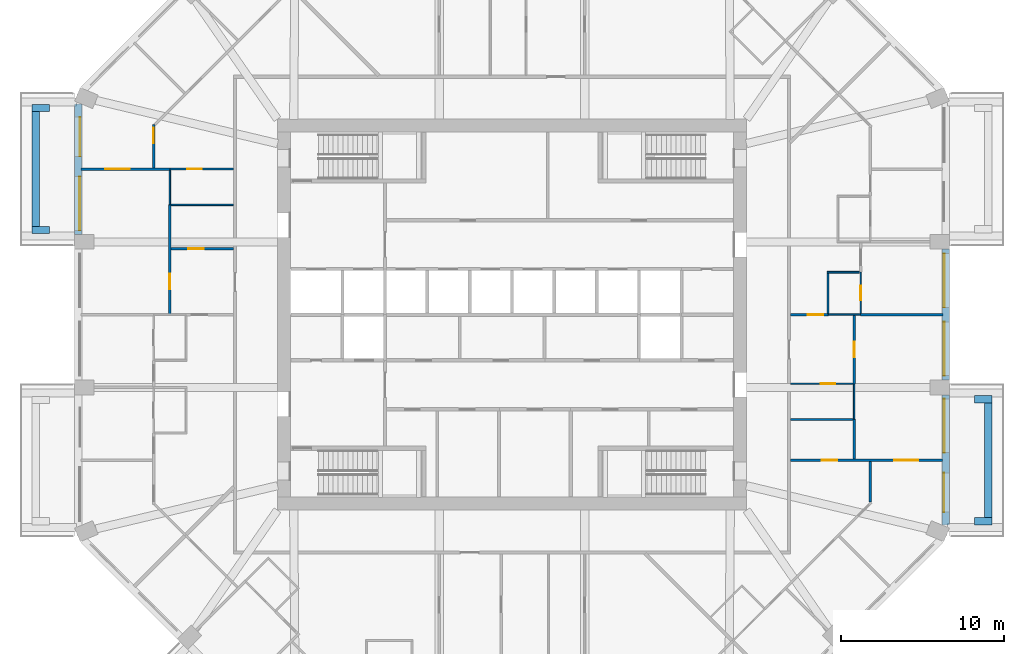
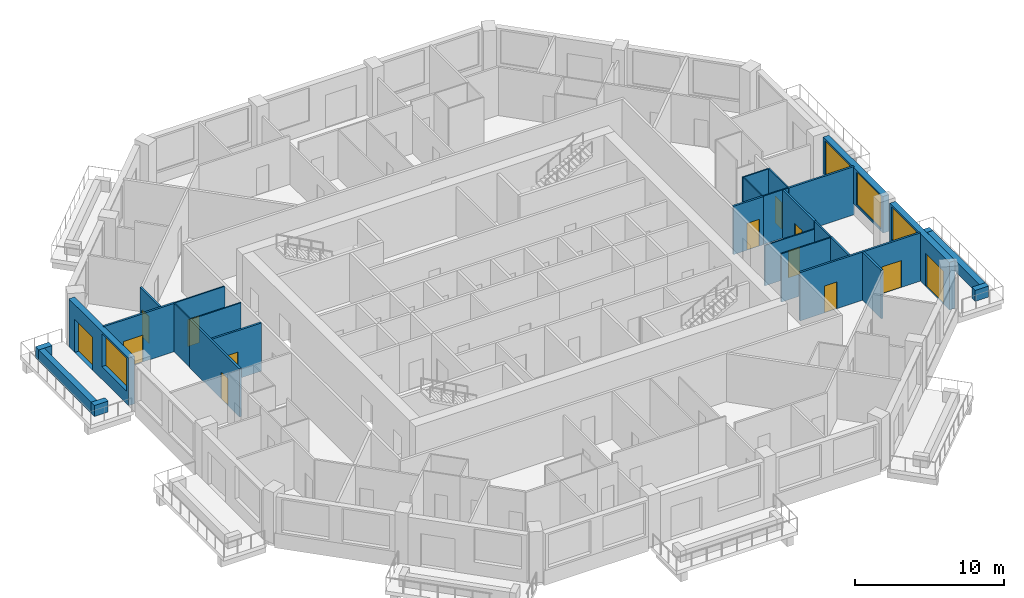
# One storey, part 7 of 13: 29 walls, 13 doors, 4 windows, 17 openings.
"""IFC4 building model written with IfcOpenShell, lengths in metres."""

from ifc_helpers import new_model, si_unit, direction, frame, frame_2d, origin, place, context, subcontext, project, spatial, rectangle, extrude, material, layer, layer_set, type_object, element, fill, save


model = new_model("IFC4")

# Units and contexts
model_context = context("Model", 3, precision=1e-05, world=origin(), true_north=direction((0.0, 1.0)))
body_context = subcontext(model_context, "Body", "Model", "MODEL_VIEW")
ifc_project = project(units=[si_unit("LENGTHUNIT", "METRE"), si_unit("AREAUNIT", "SQUARE_METRE"), si_unit("VOLUMEUNIT", "CUBIC_METRE"), si_unit("PLANEANGLEUNIT", "RADIAN"), si_unit("MASSUNIT", "GRAM", prefix="KILO")], contexts=[model_context])

# Site, building, storey
site_placement = place(None, origin())
site = spatial("IfcSite", under=ifc_project, at=site_placement, CompositionType="ELEMENT")
building_placement = place(site_placement, origin())
building = spatial("IfcBuilding", under=site, at=building_placement, Name="Msitu Wima Residences", CompositionType="ELEMENT")
storey_placement = place(building_placement, frame((0.0, 0.0, 140.10009765625)))
storey = spatial("IfcBuildingStorey", under=building, at=storey_placement, Name="L32", CompositionType="ELEMENT", Elevation=140.10009765625)

# Walls
ifc_material_1 = material(Name="Facing brick")
ifc_layer_1 = layer(ifc_material_1, 0.06494140625, Name="Facing brick")
ifc_material_2 = material(Name="Concrete C40/50", Category="concrete")
ifc_layer_2 = layer(ifc_material_2, 0.156005859375, Name="Concrete C40/50")
ifc_material_3 = material(Name="Waterproofing membrane")
ifc_layer_3 = layer(ifc_material_3, 0.00390625, Name="Waterproofing membrane")
ifc_material_4 = material(Name="Planting soil and planting")
ifc_layer_4 = layer(ifc_material_4, 0.22509765625, Name="Planting soil and planting")
ifc_layer_set_1 = layer_set([ifc_layer_1, ifc_layer_2, ifc_layer_3, ifc_layer_4], Name="Concrete C40/50")
wall_type_1 = type_object("IfcWallType", Name="Balcony planter PLANTER PL450", PredefinedType="USERDEFINED", material=ifc_layer_set_1)
wall_1_placement = place(storey_placement, frame((29.22509765625, -12.455810546875, 0.0), z_axis=(0.0, 0.0, 1.0), x_axis=(0.0, 1.0, 0.0)))
element("IfcWall", 1, at=wall_1_placement, inside=storey, type_object=wall_type_1, Name="Balcony planter E0 L32", ObjectType="PLANTER", PredefinedType="USERDEFINED", context=body_context, shape_type="SweptSolid", body=[
    extrude(rectangle(XDim=7.037109375, YDim=0.449951171875, at=frame_2d((3.5185546875, 0.0))), origin(), (0.0, 0.0, 1.0), 0.89990234375),
])
for number, where, z_axis, x_axis, name in (
    (2, (28.39990234375, -12.680908203125, 0.0), (0.0, 0.0, 1.0), (1.0, 0.0, 0.0), "Balcony planter E0 L32"),
    (3, (28.39990234375, -5.193603515625, 0.0), (0.0, 0.0, 1.0), (1.0, 0.0, 0.0), "Balcony planter E0 L32"),
):
    element("IfcWall", number, at=place(storey_placement, frame(where, z_axis=z_axis, x_axis=x_axis)), inside=storey, type_object=wall_type_1, Name=name, ObjectType="PLANTER", PredefinedType="USERDEFINED", context=body_context, shape_type="SweptSolid", body=[
        extrude(rectangle(XDim=1.050048828125, YDim=0.449951171875, at=frame_2d((0.52490234375, 0.0))), origin(), (0.0, 0.0, 1.0), 0.89990234375),
    ])
wall_2_placement = place(storey_placement, frame((-29.22509765625, 12.455810546875, 0.0), z_axis=(0.0, 0.0, 1.0), x_axis=(0.0, -1.0, 0.0)))
element("IfcWall", 4, at=wall_2_placement, inside=storey, type_object=wall_type_1, Name="Balcony planter W0 L32", ObjectType="PLANTER", PredefinedType="USERDEFINED", context=body_context, shape_type="SweptSolid", body=[
    extrude(rectangle(XDim=7.037109375, YDim=0.449951171875, at=frame_2d((3.5185546875, 0.0))), origin(), (0.0, 0.0, 1.0), 0.89990234375),
])
for number, where, z_axis, x_axis, name in (
    (5, (-28.39990234375, 12.680908203125, 0.0), (0.0, 0.0, 1.0), (-1.0, 0.0, 0.0), "Balcony planter W0 L32"),
    (6, (-28.39990234375, 5.193603515625, 0.0), (0.0, 0.0, 1.0), (-1.0, 0.0, 0.0), "Balcony planter W0 L32"),
):
    element("IfcWall", number, at=place(storey_placement, frame(where, z_axis=z_axis, x_axis=x_axis)), inside=storey, type_object=wall_type_1, Name=name, ObjectType="PLANTER", PredefinedType="USERDEFINED", context=body_context, shape_type="SweptSolid", body=[
        extrude(rectangle(XDim=1.050048828125, YDim=0.449951171875, at=frame_2d((0.52490234375, 0.0))), origin(), (0.0, 0.0, 1.0), 0.89990234375),
    ])

# Wall, openings, door, window
ifc_material_5 = material(Name="Brick (red buff mix)", Category="masonry")
ifc_layer_5 = layer(ifc_material_5, 0.449951171875)
ifc_layer_set_2 = layer_set([ifc_layer_5], Name="Brick (red buff mix)")
wall_type_2 = type_object("IfcWallType", Name="Brick infill wall BW450", PredefinedType="SOLIDWALL", material=ifc_layer_set_2)
wall_3_placement = place(storey_placement, frame((26.625, -12.918701171875, 0.0), z_axis=(0.0, 0.0, 1.0), x_axis=(0.0, 1.0, 0.0)))
wall_3 = element("IfcWall", 7, at=wall_3_placement, inside=storey, type_object=wall_type_2, Name="Brick infill wall L32 E0", PredefinedType="SOLIDWALL", context=body_context, shape_type="SweptSolid", body=[
    extrude(rectangle(XDim=8.0, YDim=0.449951171875, at=frame_2d((4.0, 0.0))), origin(), (0.0, 0.0, 1.0), 3.89990234375),
])
opening_1_placement = place(wall_3_placement, frame((0.800048828125, 0.0, 0.0)))
opening_1 = element("IfcOpeningElement", 8, at=opening_1_placement, cuts=wall_3, Name="Opening D30-32.001", PredefinedType="OPENING", context=body_context, shape_type="SweptSolid", body=[
    extrude(rectangle(XDim=2.39990234375, YDim=2.699951171875, at=frame_2d((1.199951171875, 1.35009765625))), frame((0.0, 0.23486328125, 0.0), z_axis=(0.0, -1.0, 0.0), x_axis=(1.0, 0.0, 0.0)), (0.0, 0.0, 1.0), 0.469970703125),
])
opening_2_placement = place(wall_3_placement, frame((4.4501953125, 0.0, 1.050048828125)))
opening_2 = element("IfcOpeningElement", 9, at=opening_2_placement, cuts=wall_3, Name="Opening W30-32.001", PredefinedType="OPENING", context=body_context, shape_type="SweptSolid", body=[
    extrude(rectangle(XDim=3.300048828125, YDim=2.699951171875, at=frame_2d((1.64990234375, 1.35009765625))), frame((0.0, 0.23486328125, 0.0), z_axis=(0.0, -1.0, 0.0), x_axis=(1.0, 0.0, 0.0)), (0.0, 0.0, 1.0), 0.469970703125),
])
ifc_material_6 = material(Name="Anodised aluminium, bronze finish, clear low-emissivity double glazing", Category="aluminium")
door_type_1 = type_object("IfcDoorType", Name="Balcony door D2400x2700", OperationType="SLIDING_TO_LEFT", PredefinedType="DOOR", material=ifc_material_6)
door_1_placement = place(opening_1_placement, origin())
door_1 = element("IfcDoor", 10, at=door_1_placement, inside=storey, type_object=door_type_1, Name="Balcony door L32 E0", OperationType="SINGLE_SWING_LEFT", OverallHeight=2.699951171875, OverallWidth=2.39990234375, PredefinedType="DOOR", context=body_context, shape_type="SweptSolid", body=[
    extrude(rectangle(XDim=2.39990234375, YDim=2.699951171875, at=frame_2d((1.199951171875, 1.35009765625))), frame((0.0, 0.1298828125, 0.0), z_axis=(0.0, -1.0, 0.0), x_axis=(1.0, 0.0, 0.0)), (0.0, 0.0, 1.0), 0.050048828125),
])
fill(opening_1, door_1)
window_type = type_object("IfcWindowType", Name="Window W3300x2700", PartitioningType="DOUBLE_PANEL_VERTICAL", PredefinedType="WINDOW", material=ifc_material_6)
window_1_placement = place(opening_2_placement, origin())
window_1 = element("IfcWindow", 11, at=window_1_placement, inside=storey, type_object=window_type, Name="Window L32 E0.2", OverallHeight=2.699951171875, OverallWidth=3.300048828125, PartitioningType="SINGLE_PANEL", PredefinedType="WINDOW", context=body_context, shape_type="SweptSolid", body=[
    extrude(rectangle(XDim=3.300048828125, YDim=2.699951171875, at=frame_2d((1.64990234375, 1.35009765625))), frame((0.0, 0.135009765625, 0.0), z_axis=(0.0, -1.0, 0.0), x_axis=(1.0, 0.0, 0.0)), (0.0, 0.0, 1.0), 0.06005859375),
])
fill(opening_2, window_1)

# Wall, openings, windows
wall_4_placement = place(storey_placement, frame((26.625, -4.0185546875, 0.89990234375), z_axis=(0.0, 0.0, 1.0), x_axis=(0.0, 1.0, 0.0)))
wall_4 = element("IfcWall", 12, at=wall_4_placement, inside=storey, type_object=wall_type_2, Name="Brick infill wall L32 E1", PredefinedType="SOLIDWALL", context=body_context, shape_type="SweptSolid", body=[
    extrude(rectangle(XDim=8.037109375, YDim=0.449951171875, at=frame_2d((4.0185546875, 0.0))), origin(), (0.0, 0.0, 1.0), 3.0),
])
opening_3_placement = place(wall_4_placement, frame((0.2685546875, 0.0, 0.14990234375)))
opening_3 = element("IfcOpeningElement", 13, at=opening_3_placement, cuts=wall_4, Name="Opening W30-32.002", PredefinedType="OPENING", context=body_context, shape_type="SweptSolid", body=[
    extrude(rectangle(XDim=3.300048828125, YDim=2.699951171875, at=frame_2d((1.64990234375, 1.35009765625))), frame((0.0, 0.23486328125, 0.0), z_axis=(0.0, -1.0, 0.0), x_axis=(1.0, 0.0, 0.0)), (0.0, 0.0, 1.0), 0.469970703125),
])
opening_4_placement = place(wall_4_placement, frame((4.46875, 0.0, 0.14990234375)))
opening_4 = element("IfcOpeningElement", 14, at=opening_4_placement, cuts=wall_4, Name="Opening W30-32.003", PredefinedType="OPENING", context=body_context, shape_type="SweptSolid", body=[
    extrude(rectangle(XDim=3.300048828125, YDim=2.699951171875, at=frame_2d((1.64990234375, 1.35009765625))), frame((0.0, 0.23486328125, 0.0), z_axis=(0.0, -1.0, 0.0), x_axis=(1.0, 0.0, 0.0)), (0.0, 0.0, 1.0), 0.469970703125),
])
window_2_placement = place(opening_3_placement, origin())
window_2 = element("IfcWindow", 15, at=window_2_placement, inside=storey, type_object=window_type, Name="Window L32 E1.1", OverallHeight=2.699951171875, OverallWidth=3.300048828125, PartitioningType="SINGLE_PANEL", PredefinedType="WINDOW", context=body_context, shape_type="SweptSolid", body=[
    extrude(rectangle(XDim=3.300048828125, YDim=2.699951171875, at=frame_2d((1.64990234375, 1.35009765625))), frame((0.0, 0.135009765625, 0.0), z_axis=(0.0, -1.0, 0.0), x_axis=(1.0, 0.0, 0.0)), (0.0, 0.0, 1.0), 0.06005859375),
])
fill(opening_3, window_2)
window_3_placement = place(opening_4_placement, origin())
window_3 = element("IfcWindow", 16, at=window_3_placement, inside=storey, type_object=window_type, Name="Window L32 E1.2", OverallHeight=2.699951171875, OverallWidth=3.300048828125, PartitioningType="SINGLE_PANEL", PredefinedType="WINDOW", context=body_context, shape_type="SweptSolid", body=[
    extrude(rectangle(XDim=3.300048828125, YDim=2.699951171875, at=frame_2d((1.64990234375, 1.35009765625))), frame((0.0, 0.135009765625, 0.0), z_axis=(0.0, -1.0, 0.0), x_axis=(1.0, 0.0, 0.0)), (0.0, 0.0, 1.0), 0.06005859375),
])
fill(opening_4, window_3)

# Wall, openings, door, window
wall_5_placement = place(storey_placement, frame((-26.625, 12.918701171875, 0.0), z_axis=(0.0, 0.0, 1.0), x_axis=(0.0, -1.0, 0.0)))
wall_5 = element("IfcWall", 17, at=wall_5_placement, inside=storey, type_object=wall_type_2, Name="Brick infill wall L32 W0", PredefinedType="SOLIDWALL", context=body_context, shape_type="SweptSolid", body=[
    extrude(rectangle(XDim=8.0, YDim=0.449951171875, at=frame_2d((4.0, 0.0))), origin(), (0.0, 0.0, 1.0), 3.89990234375),
])
opening_5_placement = place(wall_5_placement, frame((0.800048828125, 0.0, 0.0)))
opening_5 = element("IfcOpeningElement", 18, at=opening_5_placement, cuts=wall_5, Name="Opening D30-32.009", PredefinedType="OPENING", context=body_context, shape_type="SweptSolid", body=[
    extrude(rectangle(XDim=2.39990234375, YDim=2.699951171875, at=frame_2d((1.199951171875, 1.35009765625))), frame((0.0, 0.23486328125, 0.0), z_axis=(0.0, -1.0, 0.0), x_axis=(1.0, 0.0, 0.0)), (0.0, 0.0, 1.0), 0.469970703125),
])
opening_6_placement = place(wall_5_placement, frame((4.4501953125, 0.0, 1.050048828125)))
opening_6 = element("IfcOpeningElement", 19, at=opening_6_placement, cuts=wall_5, Name="Opening W30-32.027", PredefinedType="OPENING", context=body_context, shape_type="SweptSolid", body=[
    extrude(rectangle(XDim=3.300048828125, YDim=2.699951171875, at=frame_2d((1.64990234375, 1.35009765625))), frame((0.0, 0.23486328125, 0.0), z_axis=(0.0, -1.0, 0.0), x_axis=(1.0, 0.0, 0.0)), (0.0, 0.0, 1.0), 0.469970703125),
])
door_2_placement = place(opening_5_placement, origin())
door_2 = element("IfcDoor", 20, at=door_2_placement, inside=storey, type_object=door_type_1, Name="Balcony door L32 W0", OperationType="SINGLE_SWING_LEFT", OverallHeight=2.699951171875, OverallWidth=2.39990234375, PredefinedType="DOOR", context=body_context, shape_type="SweptSolid", body=[
    extrude(rectangle(XDim=2.39990234375, YDim=2.699951171875, at=frame_2d((1.199951171875, 1.35009765625))), frame((0.0, 0.1298828125, 0.0), z_axis=(0.0, -1.0, 0.0), x_axis=(1.0, 0.0, 0.0)), (0.0, 0.0, 1.0), 0.050048828125),
])
fill(opening_5, door_2)
window_4_placement = place(opening_6_placement, origin())
window_4 = element("IfcWindow", 21, at=window_4_placement, inside=storey, type_object=window_type, Name="Window L32 W0.2", OverallHeight=2.699951171875, OverallWidth=3.300048828125, PartitioningType="SINGLE_PANEL", PredefinedType="WINDOW", context=body_context, shape_type="SweptSolid", body=[
    extrude(rectangle(XDim=3.300048828125, YDim=2.699951171875, at=frame_2d((1.64990234375, 1.35009765625))), frame((0.0, 0.135009765625, 0.0), z_axis=(0.0, -1.0, 0.0), x_axis=(1.0, 0.0, 0.0)), (0.0, 0.0, 1.0), 0.06005859375),
])
fill(opening_6, window_4)

# Wall, opening, door
ifc_material_7 = material(Name="Plaster")
ifc_layer_6 = layer(ifc_material_7, 0.011962890625, Name="Plaster")
ifc_material_8 = material(Name="Concrete blockwork", Category="masonry")
ifc_layer_7 = layer(ifc_material_8, 0.1259765625, Name="Concrete blockwork")
ifc_layer_8 = layer(ifc_material_7, 0.011962890625, Name="Plaster")
ifc_layer_set_3 = layer_set([ifc_layer_6, ifc_layer_7, ifc_layer_8], Name="Concrete blockwork")
wall_type_3 = type_object("IfcWallType", Name="Partition PW150", PredefinedType="PARTITIONING", material=ifc_layer_set_3)
wall_6_placement = place(storey_placement, frame((-26.455078125, 8.937255859375, 0.0), z_axis=(0.0, 0.0, 1.0), x_axis=(1.0, 0.0, 0.0)))
wall_6 = element("IfcWall", 22, at=wall_6_placement, inside=storey, type_object=wall_type_3, Name="Partition", PredefinedType="PARTITIONING", context=body_context, shape_type="SweptSolid", body=[
    extrude(rectangle(XDim=5.47509765625, YDim=0.14990234375, at=frame_2d((2.737548828125, 0.0))), origin(), (0.0, 0.0, 1.0), 3.949951171875),
])
opening_7_placement = place(wall_6_placement, frame((1.5, 0.0, 0.0)))
opening_7 = element("IfcOpeningElement", 23, at=opening_7_placement, cuts=wall_6, Name="Opening D30-32.046", PredefinedType="OPENING", context=body_context, shape_type="SweptSolid", body=[
    extrude(rectangle(XDim=1.5, YDim=2.199951171875, at=frame_2d((0.75, 1.10009765625))), frame((0.0, 0.0849609375, 0.0), z_axis=(0.0, -1.0, 0.0), x_axis=(1.0, 0.0, 0.0)), (0.0, 0.0, 1.0), 0.169921875),
])
ifc_material_9 = material(Name="Timber double door", Category="wood")
door_type_2 = type_object("IfcDoorType", Name="Double door D04 1500x2200", OperationType="DOUBLE_DOOR_SINGLE_SWING", PredefinedType="DOOR", material=ifc_material_9)
door_3_placement = place(opening_7_placement, origin())
door_3 = element("IfcDoor", 24, at=door_3_placement, inside=storey, type_object=door_type_2, Name="Double door", OperationType="DOUBLE_DOOR_SINGLE_SWING", OverallHeight=2.199951171875, OverallWidth=1.5, PredefinedType="DOOR", context=body_context, shape_type="SweptSolid", body=[
    extrude(rectangle(XDim=1.5, YDim=2.199951171875, at=frame_2d((0.75, 1.10009765625))), frame((0.0, 0.02490234375, 0.0), z_axis=(0.0, -1.0, 0.0), x_axis=(1.0, 0.0, 0.0)), (0.0, 0.0, 1.0), 0.050048828125),
])
fill(opening_7, door_3)

wall_7_placement = place(storey_placement, frame((-22.0, 9.01220703125, 0.0), z_axis=(0.0, 0.0, 1.0), x_axis=(0.0, 1.0, 0.0)))
wall_7 = element("IfcWall", 25, at=wall_7_placement, inside=storey, type_object=wall_type_3, Name="Partition", PredefinedType="PARTITIONING", context=body_context, shape_type="SweptSolid", body=[
    extrude(rectangle(XDim=2.646240234375, YDim=0.14990234375, at=frame_2d((1.3232421875, 0.0))), origin(), (0.0, 0.0, 1.0), 3.949951171875),
])
opening_8_placement = place(wall_7_placement, frame((1.5, 0.0, 0.0)))
opening_8 = element("IfcOpeningElement", 26, at=opening_8_placement, cuts=wall_7, Name="Opening D30-32.055", PredefinedType="OPENING", context=body_context, shape_type="SweptSolid", body=[
    extrude(rectangle(XDim=0.949951171875, YDim=2.199951171875, at=frame_2d((0.47509765625, 1.10009765625))), frame((0.0, 0.0849609375, 0.0), z_axis=(0.0, -1.0, 0.0), x_axis=(1.0, 0.0, 0.0)), (0.0, 0.0, 1.0), 0.169921875),
])
ifc_material_10 = material(Name="Timber flush door", Category="wood")
door_type_3 = type_object("IfcDoorType", Name="Room door D12 950x2200", OperationType="SINGLE_SWING_LEFT", PredefinedType="DOOR", material=ifc_material_10)
door_4_placement = place(opening_8_placement, origin())
door_4 = element("IfcDoor", 27, at=door_4_placement, inside=storey, type_object=door_type_3, Name="Room door", OperationType="SINGLE_SWING_LEFT", OverallHeight=2.199951171875, OverallWidth=0.949951171875, PredefinedType="DOOR", context=body_context, shape_type="SweptSolid", body=[
    extrude(rectangle(XDim=0.949951171875, YDim=2.199951171875, at=frame_2d((0.47509765625, 1.10009765625))), frame((0.0, 0.02490234375, 0.0), z_axis=(0.0, -1.0, 0.0), x_axis=(1.0, 0.0, 0.0)), (0.0, 0.0, 1.0), 0.050048828125),
])
fill(opening_8, door_4)

wall_8_placement = place(storey_placement, frame((-21.0, 0.050048828125, 0.0), z_axis=(0.0, 0.0, 1.0), x_axis=(0.0, 1.0, 0.0)))
wall_8 = element("IfcWall", 28, at=wall_8_placement, inside=storey, type_object=wall_type_3, Name="Partition", PredefinedType="PARTITIONING", context=body_context, shape_type="SweptSolid", body=[
    extrude(rectangle(XDim=6.707275390625, YDim=0.14990234375, at=frame_2d((3.353515625, 0.0))), origin(), (0.0, 0.0, 1.0), 3.949951171875),
])
opening_9_placement = place(wall_8_placement, frame((1.5, 0.0, 0.0)))
opening_9 = element("IfcOpeningElement", 29, at=opening_9_placement, cuts=wall_8, Name="Opening D30-32.045", PredefinedType="OPENING", context=body_context, shape_type="SweptSolid", body=[
    extrude(rectangle(XDim=0.949951171875, YDim=2.199951171875, at=frame_2d((0.47509765625, 1.10009765625))), frame((0.0, 0.0849609375, 0.0), z_axis=(0.0, -1.0, 0.0), x_axis=(1.0, 0.0, 0.0)), (0.0, 0.0, 1.0), 0.169921875),
])
door_5_placement = place(opening_9_placement, origin())
door_5 = element("IfcDoor", 30, at=door_5_placement, inside=storey, type_object=door_type_3, Name="Room door", OperationType="SINGLE_SWING_LEFT", OverallHeight=2.199951171875, OverallWidth=0.949951171875, PredefinedType="DOOR", context=body_context, shape_type="SweptSolid", body=[
    extrude(rectangle(XDim=0.949951171875, YDim=2.199951171875, at=frame_2d((0.47509765625, 1.10009765625))), frame((0.0, 0.02490234375, 0.0), z_axis=(0.0, -1.0, 0.0), x_axis=(1.0, 0.0, 0.0)), (0.0, 0.0, 1.0), 0.050048828125),
])
fill(opening_9, door_5)

wall_9_placement = place(storey_placement, frame((-20.925048828125, 4.037353515625, 0.0), z_axis=(0.0, 0.0, 1.0), x_axis=(1.0, 0.0, 0.0)))
wall_9 = element("IfcWall", 31, at=wall_9_placement, inside=storey, type_object=wall_type_3, Name="Partition", PredefinedType="PARTITIONING", context=body_context, shape_type="SweptSolid", body=[
    extrude(rectangle(XDim=3.824951171875, YDim=0.14990234375, at=frame_2d((1.91259765625, 0.0))), origin(), (0.0, 0.0, 1.0), 3.949951171875),
])
opening_10_placement = place(wall_9_placement, frame((1.050048828125, 0.0, 0.0)))
opening_10 = element("IfcOpeningElement", 32, at=opening_10_placement, cuts=wall_9, Name="Opening D30-32.053", PredefinedType="OPENING", context=body_context, shape_type="SweptSolid", body=[
    extrude(rectangle(XDim=0.949951171875, YDim=2.199951171875, at=frame_2d((0.47509765625, 1.10009765625))), frame((0.0, 0.0849609375, 0.0), z_axis=(0.0, -1.0, 0.0), x_axis=(1.0, 0.0, 0.0)), (0.0, 0.0, 1.0), 0.169921875),
])
door_6_placement = place(opening_10_placement, origin())
door_6 = element("IfcDoor", 33, at=door_6_placement, inside=storey, type_object=door_type_3, Name="Room door", OperationType="SINGLE_SWING_LEFT", OverallHeight=2.199951171875, OverallWidth=0.949951171875, PredefinedType="DOOR", context=body_context, shape_type="SweptSolid", body=[
    extrude(rectangle(XDim=0.949951171875, YDim=2.199951171875, at=frame_2d((0.47509765625, 1.10009765625))), frame((0.0, 0.02490234375, 0.0), z_axis=(0.0, -1.0, 0.0), x_axis=(1.0, 0.0, 0.0)), (0.0, 0.0, 1.0), 0.050048828125),
])
fill(opening_10, door_6)

# Wall, openings, doors
wall_10_placement = place(storey_placement, frame((17.10009765625, -8.937255859375, 0.0), z_axis=(0.0, 0.0, 1.0), x_axis=(1.0, 0.0, 0.0)))
wall_10 = element("IfcWall", 34, at=wall_10_placement, inside=storey, type_object=wall_type_3, Name="Partition", PredefinedType="PARTITIONING", context=body_context, shape_type="SweptSolid", body=[
    extrude(rectangle(XDim=9.324951171875, YDim=0.14990234375, at=frame_2d((4.66259765625, 0.0))), origin(), (0.0, 0.0, 1.0), 3.949951171875),
])
opening_11_placement = place(wall_10_placement, frame((6.35009765625, 0.0, 0.0)))
opening_11 = element("IfcOpeningElement", 35, at=opening_11_placement, cuts=wall_10, Name="Opening D30-32.081", PredefinedType="OPENING", context=body_context, shape_type="SweptSolid", body=[
    extrude(rectangle(XDim=1.5, YDim=2.199951171875, at=frame_2d((0.75, 1.10009765625))), frame((0.0, 0.0849609375, 0.0), z_axis=(0.0, -1.0, 0.0), x_axis=(1.0, 0.0, 0.0)), (0.0, 0.0, 1.0), 0.169921875),
])
opening_12_placement = place(wall_10_placement, frame((1.89990234375, 0.0, 0.0)))
opening_12 = element("IfcOpeningElement", 36, at=opening_12_placement, cuts=wall_10, Name="Opening D30-32.087", PredefinedType="OPENING", context=body_context, shape_type="SweptSolid", body=[
    extrude(rectangle(XDim=0.949951171875, YDim=2.199951171875, at=frame_2d((0.47509765625, 1.10009765625))), frame((0.0, 0.0849609375, 0.0), z_axis=(0.0, -1.0, 0.0), x_axis=(1.0, 0.0, 0.0)), (0.0, 0.0, 1.0), 0.169921875),
])
door_7_placement = place(opening_11_placement, origin())
door_7 = element("IfcDoor", 37, at=door_7_placement, inside=storey, type_object=door_type_2, Name="Double door", OperationType="DOUBLE_DOOR_SINGLE_SWING", OverallHeight=2.199951171875, OverallWidth=1.5, PredefinedType="DOOR", context=body_context, shape_type="SweptSolid", body=[
    extrude(rectangle(XDim=1.5, YDim=2.199951171875, at=frame_2d((0.75, 1.10009765625))), frame((0.0, 0.02490234375, 0.0), z_axis=(0.0, -1.0, 0.0), x_axis=(1.0, 0.0, 0.0)), (0.0, 0.0, 1.0), 0.050048828125),
])
fill(opening_11, door_7)
door_8_placement = place(opening_12_placement, origin())
door_8 = element("IfcDoor", 38, at=door_8_placement, inside=storey, type_object=door_type_3, Name="Room door", OperationType="SINGLE_SWING_RIGHT", OverallHeight=2.199951171875, OverallWidth=0.949951171875, PredefinedType="DOOR", context=body_context, shape_type="SweptSolid", body=[
    extrude(rectangle(XDim=0.949951171875, YDim=2.199951171875, at=frame_2d((0.47509765625, 1.10009765625))), frame((0.0, 0.02490234375, 0.0), z_axis=(0.0, -1.0, 0.0), x_axis=(1.0, 0.0, 0.0)), (0.0, 0.0, 1.0), 0.050048828125),
])
fill(opening_12, door_8)

# Wall, opening, door
wall_11_placement = place(storey_placement, frame((17.10009765625, 0.0, 0.0), z_axis=(0.0, 0.0, 1.0), x_axis=(1.0, 0.0, 0.0)))
wall_11 = element("IfcWall", 39, at=wall_11_placement, inside=storey, type_object=wall_type_3, Name="Partition", PredefinedType="PARTITIONING", context=body_context, shape_type="SweptSolid", body=[
    extrude(rectangle(XDim=2.31982421875, YDim=0.14990234375, at=frame_2d((1.159912109375, 0.0))), origin(), (0.0, 0.0, 1.0), 3.949951171875),
])
opening_13_placement = place(wall_11_placement, frame((1.050048828125, 0.0, 0.0)))
opening_13 = element("IfcOpeningElement", 40, at=opening_13_placement, cuts=wall_11, Name="Opening D30-32.076", PredefinedType="OPENING", context=body_context, shape_type="SweptSolid", body=[
    extrude(rectangle(XDim=0.949951171875, YDim=2.199951171875, at=frame_2d((0.47509765625, 1.10009765625))), frame((0.0, 0.0849609375, 0.0), z_axis=(0.0, -1.0, 0.0), x_axis=(1.0, 0.0, 0.0)), (0.0, 0.0, 1.0), 0.169921875),
])
door_9_placement = place(opening_13_placement, origin())
door_9 = element("IfcDoor", 41, at=door_9_placement, inside=storey, type_object=door_type_3, Name="Room door", OperationType="SINGLE_SWING_RIGHT", OverallHeight=2.199951171875, OverallWidth=0.949951171875, PredefinedType="DOOR", context=body_context, shape_type="SweptSolid", body=[
    extrude(rectangle(XDim=0.949951171875, YDim=2.199951171875, at=frame_2d((0.47509765625, 1.10009765625))), frame((0.0, 0.02490234375, 0.0), z_axis=(0.0, -1.0, 0.0), x_axis=(1.0, 0.0, 0.0)), (0.0, 0.0, 1.0), 0.050048828125),
])
fill(opening_13, door_9)

# Wall
wall_12_placement = place(storey_placement, frame((21.0, -8.8623046875, 0.0), z_axis=(0.0, 0.0, 1.0), x_axis=(0.0, 1.0, 0.0)))
element("IfcWall", 42, at=wall_12_placement, inside=storey, type_object=wall_type_3, Name="Partition", PredefinedType="PARTITIONING", context=body_context, shape_type="SweptSolid", body=[
    extrude(rectangle(XDim=2.445068359375, YDim=0.14990234375, at=frame_2d((1.22265625, 0.0))), origin(), (0.0, 0.0, 1.0), 3.949951171875),
])

# Wall, opening, door
wall_13_placement = place(storey_placement, frame((21.0, -4.25732421875, 0.0), z_axis=(0.0, 0.0, 1.0), x_axis=(0.0, 1.0, 0.0)))
wall_13 = element("IfcWall", 43, at=wall_13_placement, inside=storey, type_object=wall_type_3, Name="Partition", PredefinedType="PARTITIONING", context=body_context, shape_type="SweptSolid", body=[
    extrude(rectangle(XDim=4.207275390625, YDim=0.14990234375, at=frame_2d((2.103515625, 0.0))), origin(), (0.0, 0.0, 1.0), 3.949951171875),
])
opening_14_placement = place(wall_13_placement, frame((1.64990234375, 0.0, 0.0)))
opening_14 = element("IfcOpeningElement", 44, at=opening_14_placement, cuts=wall_13, Name="Opening D30-32.074", PredefinedType="OPENING", context=body_context, shape_type="SweptSolid", body=[
    extrude(rectangle(XDim=0.949951171875, YDim=2.199951171875, at=frame_2d((0.47509765625, 1.10009765625))), frame((0.0, 0.0849609375, 0.0), z_axis=(0.0, -1.0, 0.0), x_axis=(1.0, 0.0, 0.0)), (0.0, 0.0, 1.0), 0.169921875),
])
door_10_placement = place(opening_14_placement, origin())
door_10 = element("IfcDoor", 45, at=door_10_placement, inside=storey, type_object=door_type_3, Name="Room door", OperationType="SINGLE_SWING_LEFT", OverallHeight=2.199951171875, OverallWidth=0.949951171875, PredefinedType="DOOR", context=body_context, shape_type="SweptSolid", body=[
    extrude(rectangle(XDim=0.949951171875, YDim=2.199951171875, at=frame_2d((0.47509765625, 1.10009765625))), frame((0.0, 0.02490234375, 0.0), z_axis=(0.0, -1.0, 0.0), x_axis=(1.0, 0.0, 0.0)), (0.0, 0.0, 1.0), 0.050048828125),
])
fill(opening_14, door_10)

# Walls
wall_14_placement = place(storey_placement, frame((21.3798828125, 0.0, 0.0), z_axis=(0.0, 0.0, 1.0), x_axis=(1.0, 0.0, 0.0)))
element("IfcWall", 46, at=wall_14_placement, inside=storey, type_object=wall_type_3, Name="Partition", PredefinedType="PARTITIONING", context=body_context, shape_type="SweptSolid", body=[
    extrude(rectangle(XDim=5.0751953125, YDim=0.14990234375, at=frame_2d((2.53759765625, 0.0))), origin(), (0.0, 0.0, 1.0), 3.949951171875),
])
wall_15_placement = place(storey_placement, frame((22.0, -11.50830078125, 0.0), z_axis=(0.0, 0.0, 1.0), x_axis=(0.0, 1.0, 0.0)))
element("IfcWall", 47, at=wall_15_placement, inside=storey, type_object=wall_type_3, Name="Partition", PredefinedType="PARTITIONING", context=body_context, shape_type="SweptSolid", body=[
    extrude(rectangle(XDim=2.49609375, YDim=0.14990234375, at=frame_2d((1.248046875, 0.0))), origin(), (0.0, 0.0, 1.0), 3.949951171875),
])

# Wall, opening, door
ifc_material_11 = material(Name="Ceramic tiles")
ifc_layer_9 = layer(ifc_material_11, 0.008056640625, Name="Ceramic tiles")
ifc_material_12 = material(Name="Moisture-resistant board")
ifc_layer_10 = layer(ifc_material_12, 0.012451171875, Name="Moisture-resistant board")
ifc_material_13 = material(Name="Light-gauge stud framing with mineral wool")
ifc_layer_11 = layer(ifc_material_13, 0.06689453125, Name="Light-gauge stud framing with mineral wool")
ifc_layer_12 = layer(ifc_material_12, 0.012451171875, Name="Moisture-resistant board")
ifc_layer_set_4 = layer_set([ifc_layer_9, ifc_layer_10, ifc_layer_11, ifc_layer_12], Name="Light-gauge stud framing with mineral wool")
wall_type_4 = type_object("IfcWallType", Name="Wet wall PW100", PredefinedType="PARTITIONING", material=ifc_layer_set_4)
wall_16_placement = place(storey_placement, frame((-20.97998046875, 8.937255859375, 0.0), z_axis=(0.0, 0.0, 1.0), x_axis=(1.0, 0.0, 0.0)))
wall_16 = element("IfcWall", 48, at=wall_16_placement, inside=storey, type_object=wall_type_4, Name="Wet wall", PredefinedType="PARTITIONING", context=body_context, shape_type="SweptSolid", body=[
    extrude(rectangle(XDim=3.8798828125, YDim=0.10009765625, at=frame_2d((1.93994140625, 0.0))), origin(), (0.0, 0.0, 1.0), 3.949951171875),
])
opening_15_placement = place(wall_16_placement, frame((1.050048828125, 0.0, 0.0)))
opening_15 = element("IfcOpeningElement", 49, at=opening_15_placement, cuts=wall_16, Name="Opening D30-32.058", PredefinedType="OPENING", context=body_context, shape_type="SweptSolid", body=[
    extrude(rectangle(XDim=0.89990234375, YDim=2.199951171875, at=frame_2d((0.449951171875, 1.10009765625))), frame((0.0, 0.06005859375, 0.0), z_axis=(0.0, -1.0, 0.0), x_axis=(1.0, 0.0, 0.0)), (0.0, 0.0, 1.0), 0.1201171875),
])
ifc_material_14 = material(Name="Timber flush door, moisture resistant", Category="wood")
door_type_4 = type_object("IfcDoorType", Name="Bathroom door D03 900x2200", OperationType="SINGLE_SWING_LEFT", PredefinedType="DOOR", material=ifc_material_14)
door_11_placement = place(opening_15_placement, origin())
door_11 = element("IfcDoor", 50, at=door_11_placement, inside=storey, type_object=door_type_4, Name="Bathroom door", OperationType="SINGLE_SWING_RIGHT", OverallHeight=2.199951171875, OverallWidth=0.89990234375, PredefinedType="DOOR", context=body_context, shape_type="SweptSolid", body=[
    extrude(rectangle(XDim=0.89990234375, YDim=2.199951171875, at=frame_2d((0.449951171875, 1.10009765625))), frame((0.0, 0.02490234375, 0.0), z_axis=(0.0, -1.0, 0.0), x_axis=(1.0, 0.0, 0.0)), (0.0, 0.0, 1.0), 0.050048828125),
])
fill(opening_15, door_11)

# Walls
wall_17_placement = place(storey_placement, frame((-21.0, 6.75732421875, 0.0), z_axis=(0.0, 0.0, 1.0), x_axis=(0.0, 1.0, 0.0)))
element("IfcWall", 51, at=wall_17_placement, inside=storey, type_object=wall_type_4, Name="Wet wall", PredefinedType="PARTITIONING", context=body_context, shape_type="SweptSolid", body=[
    extrude(rectangle(XDim=2.10498046875, YDim=0.10009765625, at=frame_2d((1.052490234375, 0.0))), origin(), (0.0, 0.0, 1.0), 3.949951171875),
])
for number, where, z_axis, x_axis, name in (
    (52, (-20.925048828125, 6.7373046875, 0.0), (0.0, 0.0, 1.0), (1.0, 0.0, 0.0), "Wet wall"),
    (53, (17.10009765625, -6.437255859375, 0.0), (0.0, 0.0, 1.0), (1.0, 0.0, 0.0), "Wet wall"),
):
    element("IfcWall", number, at=place(storey_placement, frame(where, z_axis=z_axis, x_axis=x_axis)), inside=storey, type_object=wall_type_4, Name=name, PredefinedType="PARTITIONING", context=body_context, shape_type="SweptSolid", body=[
        extrude(rectangle(XDim=3.824951171875, YDim=0.10009765625, at=frame_2d((1.91259765625, 0.0))), origin(), (0.0, 0.0, 1.0), 3.949951171875),
    ])

# Wall, opening, door
wall_18_placement = place(storey_placement, frame((17.10009765625, -4.2373046875, 0.0), z_axis=(0.0, 0.0, 1.0), x_axis=(1.0, 0.0, 0.0)))
wall_18 = element("IfcWall", 54, at=wall_18_placement, inside=storey, type_object=wall_type_4, Name="Wet wall", PredefinedType="PARTITIONING", context=body_context, shape_type="SweptSolid", body=[
    extrude(rectangle(XDim=3.824951171875, YDim=0.10009765625, at=frame_2d((1.91259765625, 0.0))), origin(), (0.0, 0.0, 1.0), 3.2998046875),
])
opening_16_placement = place(wall_18_placement, frame((1.85009765625, 0.0, 0.0)))
opening_16 = element("IfcOpeningElement", 55, at=opening_16_placement, cuts=wall_18, Name="Opening D30-32.075", PredefinedType="OPENING", context=body_context, shape_type="SweptSolid", body=[
    extrude(rectangle(XDim=0.89990234375, YDim=2.199951171875, at=frame_2d((0.449951171875, 1.10009765625))), frame((0.0, 0.06005859375, 0.0), z_axis=(0.0, -1.0, 0.0), x_axis=(1.0, 0.0, 0.0)), (0.0, 0.0, 1.0), 0.1201171875),
])
door_12_placement = place(opening_16_placement, origin())
door_12 = element("IfcDoor", 56, at=door_12_placement, inside=storey, type_object=door_type_4, Name="Bathroom door", OperationType="SINGLE_SWING_LEFT", OverallHeight=2.199951171875, OverallWidth=0.89990234375, PredefinedType="DOOR", context=body_context, shape_type="SweptSolid", body=[
    extrude(rectangle(XDim=0.89990234375, YDim=2.199951171875, at=frame_2d((0.449951171875, 1.10009765625))), frame((0.0, 0.02490234375, 0.0), z_axis=(0.0, -1.0, 0.0), x_axis=(1.0, 0.0, 0.0)), (0.0, 0.0, 1.0), 0.050048828125),
])
fill(opening_16, door_12)

# Walls
wall_19_placement = place(storey_placement, frame((19.419921875, 0.0, 0.0), z_axis=(0.0, 0.0, 1.0), x_axis=(1.0, 0.0, 0.0)))
element("IfcWall", 57, at=wall_19_placement, inside=storey, type_object=wall_type_4, Name="Wet wall", PredefinedType="PARTITIONING", context=body_context, shape_type="SweptSolid", body=[
    extrude(rectangle(XDim=1.9599609375, YDim=0.10009765625, at=frame_2d((0.97998046875, 0.0))), origin(), (0.0, 0.0, 1.0), 3.949951171875),
])
wall_20_placement = place(storey_placement, frame((19.39990234375, 0.074951171875, 0.0), z_axis=(0.0, 0.0, 1.0), x_axis=(0.0, 1.0, 0.0)))
element("IfcWall", 58, at=wall_20_placement, inside=storey, type_object=wall_type_4, Name="Wet wall", PredefinedType="PARTITIONING", context=body_context, shape_type="SweptSolid", body=[
    extrude(rectangle(XDim=2.47509765625, YDim=0.10009765625, at=frame_2d((1.237548828125, 0.0))), origin(), (0.0, 0.0, 1.0), 3.949951171875),
])
wall_21_placement = place(storey_placement, frame((19.35009765625, 2.60009765625, 0.0), z_axis=(0.0, 0.0, 1.0), x_axis=(1.0, 0.0, 0.0)))
element("IfcWall", 59, at=wall_21_placement, inside=storey, type_object=wall_type_4, Name="Wet wall", PredefinedType="PARTITIONING", context=body_context, shape_type="SweptSolid", body=[
    extrude(rectangle(XDim=1.974853515625, YDim=0.10009765625, at=frame_2d((0.9873046875, 0.0))), origin(), (0.0, 0.0, 1.0), 3.949951171875),
])
wall_22_placement = place(storey_placement, frame((21.0, -6.417236328125, 0.0), z_axis=(0.0, 0.0, 1.0), x_axis=(0.0, 1.0, 0.0)))
element("IfcWall", 60, at=wall_22_placement, inside=storey, type_object=wall_type_4, Name="Wet wall", PredefinedType="PARTITIONING", context=body_context, shape_type="SweptSolid", body=[
    extrude(rectangle(XDim=2.159912109375, YDim=0.10009765625, at=frame_2d((1.080078125, 0.0))), origin(), (0.0, 0.0, 1.0), 3.949951171875),
])

# Wall, opening, door
wall_23_placement = place(storey_placement, frame((21.39990234375, 0.074951171875, 0.0), z_axis=(0.0, 0.0, 1.0), x_axis=(0.0, 1.0, 0.0)))
wall_23 = element("IfcWall", 61, at=wall_23_placement, inside=storey, type_object=wall_type_4, Name="Wet wall", PredefinedType="PARTITIONING", context=body_context, shape_type="SweptSolid", body=[
    extrude(rectangle(XDim=2.545166015625, YDim=0.10009765625, at=frame_2d((1.2724609375, 0.0))), origin(), (0.0, 0.0, 1.0), 3.949951171875),
])
opening_17_placement = place(wall_23_placement, frame((0.800048828125, 0.0, 0.0)))
opening_17 = element("IfcOpeningElement", 62, at=opening_17_placement, cuts=wall_23, Name="Opening D30-32.080", PredefinedType="OPENING", context=body_context, shape_type="SweptSolid", body=[
    extrude(rectangle(XDim=0.89990234375, YDim=2.199951171875, at=frame_2d((0.449951171875, 1.10009765625))), frame((0.0, 0.06005859375, 0.0), z_axis=(0.0, -1.0, 0.0), x_axis=(1.0, 0.0, 0.0)), (0.0, 0.0, 1.0), 0.1201171875),
])
door_13_placement = place(opening_17_placement, origin())
door_13 = element("IfcDoor", 63, at=door_13_placement, inside=storey, type_object=door_type_4, Name="Bathroom door", OperationType="SINGLE_SWING_RIGHT", OverallHeight=2.199951171875, OverallWidth=0.89990234375, PredefinedType="DOOR", context=body_context, shape_type="SweptSolid", body=[
    extrude(rectangle(XDim=0.89990234375, YDim=2.199951171875, at=frame_2d((0.449951171875, 1.10009765625))), frame((0.0, 0.02490234375, 0.0), z_axis=(0.0, -1.0, 0.0), x_axis=(1.0, 0.0, 0.0)), (0.0, 0.0, 1.0), 0.050048828125),
])
fill(opening_17, door_13)

save(model, "model.ifc")
